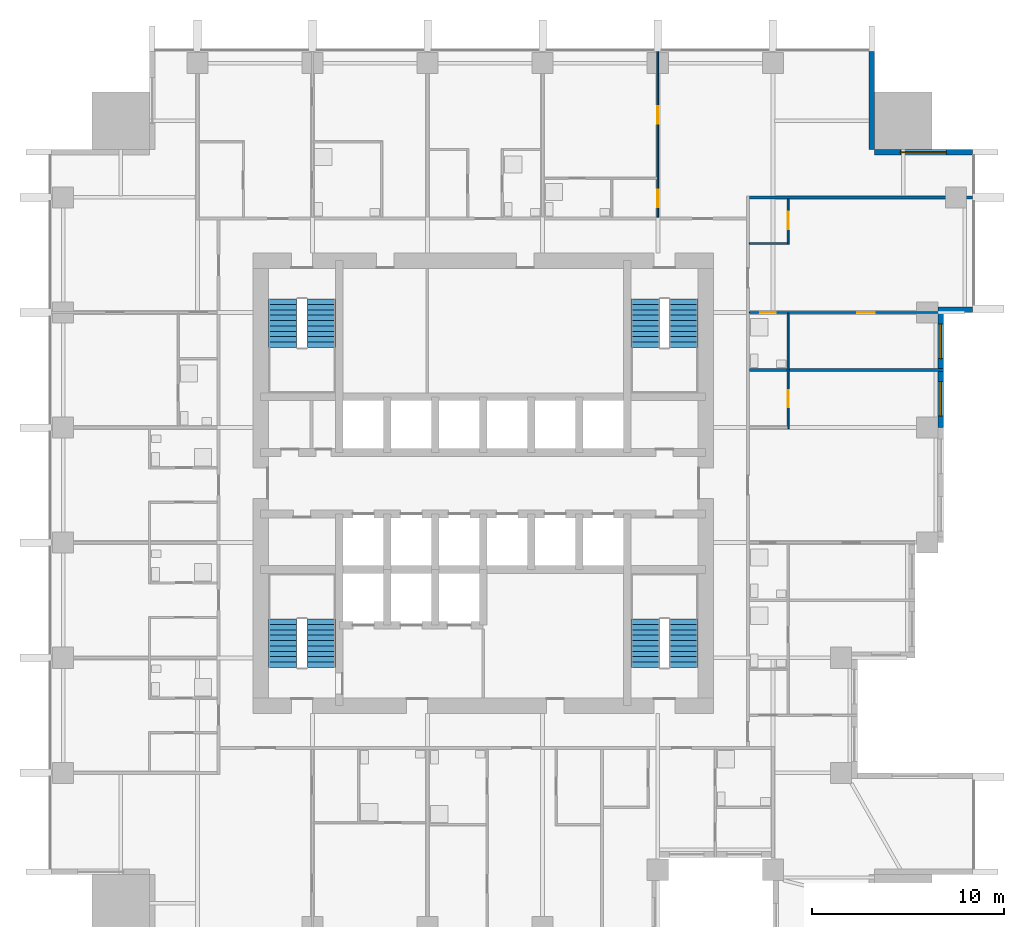
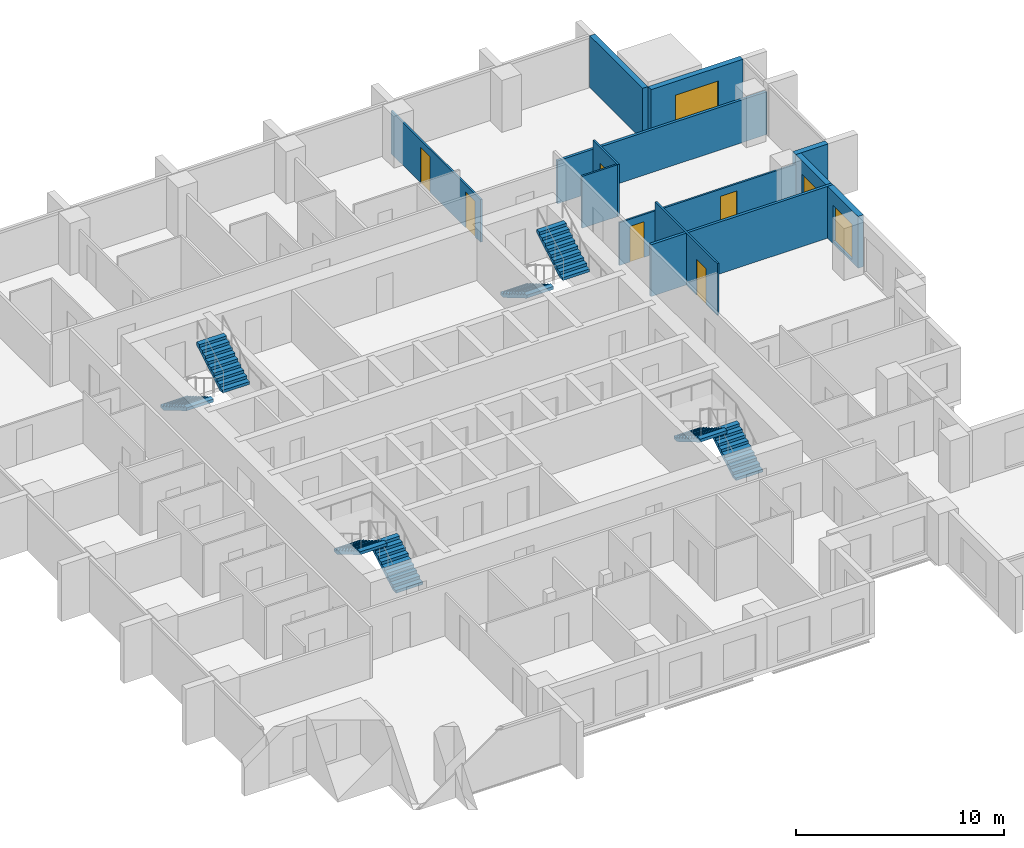
# One storey, part 8 of 10: 11 walls, 8 stair flights, 6 doors, 3 windows, 9 openings, 4 elements without a shape of their own.
"""IFC4 building model written with IfcOpenShell, lengths in metres."""

from ifc_helpers import new_model, si_unit, direction, frame, frame_2d, origin, place, context, subcontext, project, spatial, polyline, rectangle, outline, extrude, material, layer, layer_set, type_object, element, fill, aggregate, save


model = new_model("IFC4")

# Units and contexts
model_context = context("Model", 3, precision=1e-05, world=origin(), true_north=direction((0.0, 1.0)))
body_context = subcontext(model_context, "Body", "Model", "MODEL_VIEW")
ifc_project = project(units=[si_unit("LENGTHUNIT", "METRE"), si_unit("AREAUNIT", "SQUARE_METRE"), si_unit("VOLUMEUNIT", "CUBIC_METRE"), si_unit("PLANEANGLEUNIT", "RADIAN"), si_unit("MASSUNIT", "GRAM", prefix="KILO")], contexts=[model_context])

# Site, building, storey
site_placement = place(None, origin())
site = spatial("IfcSite", under=ifc_project, at=site_placement, CompositionType="ELEMENT")
building_placement = place(site_placement, origin())
building = spatial("IfcBuilding", under=site, at=building_placement, Name="Amberfall Residences", CompositionType="ELEMENT")
storey_placement = place(building_placement, frame((0.0, 0.0, 101.800048828125)))
storey = spatial("IfcBuildingStorey", under=building, at=storey_placement, Name="L27", CompositionType="ELEMENT", Elevation=101.800048828125)

# Wall
ifc_material_1 = material(Name="Pale stone cladding on insulated backing", Category="masonry")
ifc_layer_1 = layer(ifc_material_1, 0.300048828125)
ifc_layer_set_1 = layer_set([ifc_layer_1], Name="Bronze clad wall 300")
wall_type_1 = type_object("IfcWallType", Name="Bronze clad wall 300", PredefinedType="SOLIDWALL", material=ifc_layer_set_1)
wall_1_placement = place(storey_placement, frame((98.199951171875, 54.550048828125, 0.0), z_axis=(0.0, 0.0, 1.0), x_axis=(1.0, 0.0, 0.0)))
element("IfcWall", 1, at=wall_1_placement, inside=storey, type_object=wall_type_1, Name="External wall L27 E", PredefinedType="SOLIDWALL", context=body_context, shape_type="SweptSolid", body=[
    extrude(rectangle(XDim=1.800048828125, YDim=0.300048828125, at=frame_2d((0.89990234375, 0.0))), origin(), (0.0, 0.0, 1.0), 3.050048828125),
])

# Wall, opening, window
wall_2_placement = place(storey_placement, frame((100.0, 62.75, 0.0), z_axis=(0.0, 0.0, 1.0), x_axis=(-1.0, 0.0, 0.0)))
wall_2 = element("IfcWall", 2, at=wall_2_placement, inside=storey, type_object=wall_type_1, Name="External wall L27 NE", PredefinedType="SOLIDWALL", context=body_context, shape_type="SweptSolid", body=[
    extrude(rectangle(XDim=5.10009765625, YDim=0.300048828125, at=frame_2d((2.550048828125, 0.0))), origin(), (0.0, 0.0, 1.0), 3.050048828125),
])
opening_1_placement = place(wall_2_placement, frame((1.35009765625, 0.0, 0.14990234375)))
opening_1 = element("IfcOpeningElement", 3, at=opening_1_placement, cuts=wall_2, Name="Opening WN5", PredefinedType="OPENING", context=body_context, shape_type="SweptSolid", body=[
    extrude(rectangle(XDim=2.39990234375, YDim=2.10009765625, at=frame_2d((1.199951171875, 1.050048828125))), frame((0.0, 0.159912109375, 0.0), z_axis=(0.0, -1.0, 0.0), x_axis=(1.0, 0.0, 0.0)), (0.0, 0.0, 1.0), 0.320068359375),
])
ifc_material_2 = material(Name="Bronze aluminium framed glazing", Category="aluminium")
window_type_1 = type_object("IfcWindowType", Name="Glazed opening 2400 x 2100 bronze", PartitioningType="DOUBLE_PANEL_VERTICAL", PredefinedType="WINDOW", material=ifc_material_2)
window_1_placement = place(opening_1_placement, origin())
window_1 = element("IfcWindow", 4, at=window_1_placement, inside=storey, type_object=window_type_1, Name="Window L27 NE", OverallHeight=2.10009765625, OverallWidth=2.39990234375, PartitioningType="DOUBLE_PANEL_VERTICAL", PredefinedType="WINDOW", context=body_context, shape_type="SweptSolid", body=[
    extrude(rectangle(XDim=2.39990234375, YDim=2.10009765625, at=frame_2d((1.199951171875, 1.050048828125))), frame((0.0, 0.030029296875, 0.0), z_axis=(0.0, -1.0, 0.0), x_axis=(1.0, 0.0, 0.0)), (0.0, 0.0, 1.0), 0.06005859375),
])
fill(opening_1, window_1)

# Wall
wall_3_placement = place(storey_placement, frame((94.75, 62.89990234375, 0.0), z_axis=(0.0, 0.0, 1.0), x_axis=(0.0, 1.0, 0.0)))
element("IfcWall", 5, at=wall_3_placement, inside=storey, type_object=wall_type_1, Name="External wall L27 NE", PredefinedType="SOLIDWALL", context=body_context, shape_type="SweptSolid", body=[
    extrude(rectangle(XDim=5.10009765625, YDim=0.300048828125, at=frame_2d((2.550048828125, 0.0))), origin(), (0.0, 0.0, 1.0), 3.050048828125),
])

# Wall, openings, windows
wall_4_placement = place(storey_placement, frame((98.35009765625, 48.39990234375, 0.0), z_axis=(0.0, 0.0, 1.0), x_axis=(0.0, 1.0, 0.0)))
wall_4 = element("IfcWall", 6, at=wall_4_placement, inside=storey, type_object=wall_type_1, Name="Stone wall L27 E", PredefinedType="SOLIDWALL", context=body_context, shape_type="SweptSolid", body=[
    extrude(rectangle(XDim=6.0, YDim=0.300048828125, at=frame_2d((3.0, 0.0))), origin(), (0.0, 0.0, 1.0), 3.050048828125),
])
opening_2_placement = place(wall_4_placement, frame((0.60009765625, 0.0, 0.14990234375)))
opening_2 = element("IfcOpeningElement", 7, at=opening_2_placement, cuts=wall_4, Name="Opening WN6", PredefinedType="OPENING", context=body_context, shape_type="SweptSolid", body=[
    extrude(rectangle(XDim=1.800048828125, YDim=2.10009765625, at=frame_2d((0.89990234375, 1.050048828125))), frame((0.0, 0.159912109375, 0.0), z_axis=(0.0, -1.0, 0.0), x_axis=(1.0, 0.0, 0.0)), (0.0, 0.0, 1.0), 0.320068359375),
])
opening_3_placement = place(wall_4_placement, frame((3.60009765625, 0.0, 0.14990234375)))
opening_3 = element("IfcOpeningElement", 8, at=opening_3_placement, cuts=wall_4, Name="Opening WN6", PredefinedType="OPENING", context=body_context, shape_type="SweptSolid", body=[
    extrude(rectangle(XDim=1.800048828125, YDim=2.10009765625, at=frame_2d((0.89990234375, 1.050048828125))), frame((0.0, 0.159912109375, 0.0), z_axis=(0.0, -1.0, 0.0), x_axis=(1.0, 0.0, 0.0)), (0.0, 0.0, 1.0), 0.320068359375),
])
window_type_2 = type_object("IfcWindowType", Name="Glazed opening 1800 x 2100 bronze", PartitioningType="DOUBLE_PANEL_VERTICAL", PredefinedType="WINDOW", material=ifc_material_2)
window_2_placement = place(opening_2_placement, origin())
window_2 = element("IfcWindow", 9, at=window_2_placement, inside=storey, type_object=window_type_2, Name="Window L27 E", OverallHeight=2.10009765625, OverallWidth=1.800048828125, PartitioningType="DOUBLE_PANEL_VERTICAL", PredefinedType="WINDOW", context=body_context, shape_type="SweptSolid", body=[
    extrude(rectangle(XDim=1.800048828125, YDim=2.10009765625, at=frame_2d((0.89990234375, 1.050048828125))), frame((0.0, 0.030029296875, 0.0), z_axis=(0.0, -1.0, 0.0), x_axis=(1.0, 0.0, 0.0)), (0.0, 0.0, 1.0), 0.06005859375),
])
fill(opening_2, window_2)
window_3_placement = place(opening_3_placement, origin())
window_3 = element("IfcWindow", 10, at=window_3_placement, inside=storey, type_object=window_type_2, Name="Window L27 E", OverallHeight=2.10009765625, OverallWidth=1.800048828125, PartitioningType="DOUBLE_PANEL_VERTICAL", PredefinedType="WINDOW", context=body_context, shape_type="SweptSolid", body=[
    extrude(rectangle(XDim=1.800048828125, YDim=2.10009765625, at=frame_2d((0.89990234375, 1.050048828125))), frame((0.0, 0.030029296875, 0.0), z_axis=(0.0, -1.0, 0.0), x_axis=(1.0, 0.0, 0.0)), (0.0, 0.0, 1.0), 0.06005859375),
])
fill(opening_3, window_3)

# Wall, openings, doors
ifc_material_3 = material(Name="Gypsum board on metal stud")
ifc_layer_2 = layer(ifc_material_3, 0.10009765625)
ifc_layer_set_2 = layer_set([ifc_layer_2], Name="Flat partition 100")
wall_type_2 = type_object("IfcWallType", Name="Flat partition 100", PredefinedType="PARTITIONING", material=ifc_layer_set_2)
wall_5_placement = place(storey_placement, frame((83.60009765625, 59.375, 0.0), z_axis=(0.0, 0.0, 1.0), x_axis=(0.0, 1.0, 0.0)))
wall_5 = element("IfcWall", 11, at=wall_5_placement, inside=storey, type_object=wall_type_2, Name="Partition 017", PredefinedType="PARTITIONING", context=body_context, shape_type="SweptSolid", body=[
    extrude(rectangle(XDim=8.625, YDim=0.10009765625, at=frame_2d((4.3125, 0.0))), origin(), (0.0, 0.0, 1.0), 2.515869140625),
])
opening_4_placement = place(wall_5_placement, frame((0.52490234375, 0.0, 0.0)))
opening_4 = element("IfcOpeningElement", 12, at=opening_4_placement, cuts=wall_5, Name="Opening D41", PredefinedType="OPENING", context=body_context, shape_type="SweptSolid", body=[
    extrude(rectangle(XDim=0.89990234375, YDim=2.10009765625, at=frame_2d((0.449951171875, 1.050048828125))), frame((0.0, 0.06005859375, 0.0), z_axis=(0.0, -1.0, 0.0), x_axis=(1.0, 0.0, 0.0)), (0.0, 0.0, 1.0), 0.1201171875),
])
opening_5_placement = place(wall_5_placement, frame((4.875, 0.0, 0.0)))
opening_5 = element("IfcOpeningElement", 13, at=opening_5_placement, cuts=wall_5, Name="Opening D41", PredefinedType="OPENING", context=body_context, shape_type="SweptSolid", body=[
    extrude(rectangle(XDim=0.89990234375, YDim=2.10009765625, at=frame_2d((0.449951171875, 1.050048828125))), frame((0.0, 0.06005859375, 0.0), z_axis=(0.0, -1.0, 0.0), x_axis=(1.0, 0.0, 0.0)), (0.0, 0.0, 1.0), 0.1201171875),
])
ifc_material_4 = material(Name="Timber", Category="wood")
door_type_1 = type_object("IfcDoorType", Name="Internal door 900 x 2100", OperationType="SINGLE_SWING_LEFT", PredefinedType="DOOR", material=ifc_material_4)
door_1_placement = place(opening_4_placement, origin())
door_1 = element("IfcDoor", 14, at=door_1_placement, inside=storey, type_object=door_type_1, Name="Door 2709 kitchen", OperationType="SINGLE_SWING_LEFT", OverallHeight=2.10009765625, OverallWidth=0.89990234375, PredefinedType="DOOR", context=body_context, shape_type="SweptSolid", body=[
    extrude(rectangle(XDim=0.89990234375, YDim=2.10009765625, at=frame_2d((0.449951171875, 1.050048828125))), frame((0.0, 0.02490234375, 0.0), z_axis=(0.0, -1.0, 0.0), x_axis=(1.0, 0.0, 0.0)), (0.0, 0.0, 1.0), 0.050048828125),
])
fill(opening_4, door_1)
door_2_placement = place(opening_5_placement, origin())
door_2 = element("IfcDoor", 15, at=door_2_placement, inside=storey, type_object=door_type_1, Name="Door 2709 bedroom1", OperationType="SINGLE_SWING_LEFT", OverallHeight=2.10009765625, OverallWidth=0.89990234375, PredefinedType="DOOR", context=body_context, shape_type="SweptSolid", body=[
    extrude(rectangle(XDim=0.89990234375, YDim=2.10009765625, at=frame_2d((0.449951171875, 1.050048828125))), frame((0.0, 0.02490234375, 0.0), z_axis=(0.0, -1.0, 0.0), x_axis=(1.0, 0.0, 0.0)), (0.0, 0.0, 1.0), 0.050048828125),
])
fill(opening_5, door_2)

# Wall, opening, door
wall_6_placement = place(storey_placement, frame((90.39990234375, 48.35009765625, 0.0), z_axis=(0.0, 0.0, 1.0), x_axis=(0.0, 1.0, 0.0)))
wall_6 = element("IfcWall", 16, at=wall_6_placement, inside=storey, type_object=wall_type_2, Name="Partition 020", PredefinedType="PARTITIONING", context=body_context, shape_type="SweptSolid", body=[
    extrude(rectangle(XDim=6.0, YDim=0.10009765625, at=frame_2d((3.0, 0.0))), origin(), (0.0, 0.0, 1.0), 3.050048828125),
])
opening_6_placement = place(wall_6_placement, frame((1.10009765625, 0.0, 0.0)))
opening_6 = element("IfcOpeningElement", 17, at=opening_6_placement, cuts=wall_6, Name="Opening D41", PredefinedType="OPENING", context=body_context, shape_type="SweptSolid", body=[
    extrude(rectangle(XDim=0.89990234375, YDim=2.10009765625, at=frame_2d((0.449951171875, 1.050048828125))), frame((0.0, 0.06005859375, 0.0), z_axis=(0.0, -1.0, 0.0), x_axis=(1.0, 0.0, 0.0)), (0.0, 0.0, 1.0), 0.1201171875),
])
door_3_placement = place(opening_6_placement, origin())
door_3 = element("IfcDoor", 18, at=door_3_placement, inside=storey, type_object=door_type_1, Name="Door 2705 kitchen", OperationType="SINGLE_SWING_LEFT", OverallHeight=2.10009765625, OverallWidth=0.89990234375, PredefinedType="DOOR", context=body_context, shape_type="SweptSolid", body=[
    extrude(rectangle(XDim=0.89990234375, YDim=2.10009765625, at=frame_2d((0.449951171875, 1.050048828125))), frame((0.0, 0.02490234375, 0.0), z_axis=(0.0, -1.0, 0.0), x_axis=(1.0, 0.0, 0.0)), (0.0, 0.0, 1.0), 0.050048828125),
])
fill(opening_6, door_3)

wall_7_placement = place(storey_placement, frame((90.39990234375, 57.949951171875, 0.0), z_axis=(0.0, 0.0, 1.0), x_axis=(0.0, 1.0, 0.0)))
wall_7 = element("IfcWall", 19, at=wall_7_placement, inside=storey, type_object=wall_type_2, Name="Partition 021", PredefinedType="PARTITIONING", context=body_context, shape_type="SweptSolid", body=[
    extrude(rectangle(XDim=2.375, YDim=0.10009765625, at=frame_2d((1.1875, 0.0))), origin(), (0.0, 0.0, 1.0), 3.050048828125),
])
opening_7_placement = place(wall_7_placement, frame((0.800048828125, 0.0, 0.0)))
opening_7 = element("IfcOpeningElement", 20, at=opening_7_placement, cuts=wall_7, Name="Opening D41", PredefinedType="OPENING", context=body_context, shape_type="SweptSolid", body=[
    extrude(rectangle(XDim=0.89990234375, YDim=2.10009765625, at=frame_2d((0.449951171875, 1.050048828125))), frame((0.0, 0.06005859375, 0.0), z_axis=(0.0, -1.0, 0.0), x_axis=(1.0, 0.0, 0.0)), (0.0, 0.0, 1.0), 0.1201171875),
])
door_4_placement = place(opening_7_placement, origin())
door_4 = element("IfcDoor", 21, at=door_4_placement, inside=storey, type_object=door_type_1, Name="Door 2706 kitchen", OperationType="SINGLE_SWING_LEFT", OverallHeight=2.10009765625, OverallWidth=0.89990234375, PredefinedType="DOOR", context=body_context, shape_type="SweptSolid", body=[
    extrude(rectangle(XDim=0.89990234375, YDim=2.10009765625, at=frame_2d((0.449951171875, 1.050048828125))), frame((0.0, 0.02490234375, 0.0), z_axis=(0.0, -1.0, 0.0), x_axis=(1.0, 0.0, 0.0)), (0.0, 0.0, 1.0), 0.050048828125),
])
fill(opening_7, door_4)

# Wall
wall_8_placement = place(storey_placement, frame((88.375, 58.0, 0.0), z_axis=(0.0, 0.0, 1.0), x_axis=(1.0, 0.0, 0.0)))
element("IfcWall", 22, at=wall_8_placement, inside=storey, type_object=wall_type_2, Name="Partition 027", PredefinedType="PARTITIONING", context=body_context, shape_type="SweptSolid", body=[
    extrude(rectangle(XDim=1.97509765625, YDim=0.10009765625, at=frame_2d((0.987548828125, 0.0))), origin(), (0.0, 0.0, 1.0), 3.050048828125),
])

# Wall, openings, doors
wall_9_placement = place(storey_placement, frame((98.5, 54.39990234375, 0.0), z_axis=(0.0, 0.0, 1.0), x_axis=(-1.0, 0.0, 0.0)))
wall_9 = element("IfcWall", 23, at=wall_9_placement, inside=storey, type_object=wall_type_2, Name="Partition 029", PredefinedType="PARTITIONING", context=body_context, shape_type="SweptSolid", body=[
    extrude(rectangle(XDim=10.125, YDim=0.10009765625, at=frame_2d((5.0625, 0.0))), origin(), (0.0, 0.0, 1.0), 2.515869140625),
])
opening_8_placement = place(wall_9_placement, frame((3.60009765625, 0.0, 0.0)))
opening_8 = element("IfcOpeningElement", 24, at=opening_8_placement, cuts=wall_9, Name="Opening D41", PredefinedType="OPENING", context=body_context, shape_type="SweptSolid", body=[
    extrude(rectangle(XDim=0.89990234375, YDim=2.10009765625, at=frame_2d((0.449951171875, 1.050048828125))), frame((0.0, 0.06005859375, 0.0), z_axis=(0.0, -1.0, 0.0), x_axis=(1.0, 0.0, 0.0)), (0.0, 0.0, 1.0), 0.1201171875),
])
opening_9_placement = place(wall_9_placement, frame((8.75, 0.0, 0.0)))
opening_9 = element("IfcOpeningElement", 25, at=opening_9_placement, cuts=wall_9, Name="Opening D42", PredefinedType="OPENING", context=body_context, shape_type="SweptSolid", body=[
    extrude(rectangle(XDim=0.800048828125, YDim=2.10009765625, at=frame_2d((0.39990234375, 1.050048828125))), frame((0.0, 0.06005859375, 0.0), z_axis=(0.0, -1.0, 0.0), x_axis=(1.0, 0.0, 0.0)), (0.0, 0.0, 1.0), 0.1201171875),
])
door_type_2 = type_object("IfcDoorType", Name="Bathroom door 800 x 2100", OperationType="SINGLE_SWING_LEFT", PredefinedType="DOOR", material=ifc_material_4)
door_5_placement = place(opening_9_placement, origin())
door_5 = element("IfcDoor", 26, at=door_5_placement, inside=storey, type_object=door_type_2, Name="Door 2706 bath1", OperationType="SINGLE_SWING_LEFT", OverallHeight=2.10009765625, OverallWidth=0.800048828125, PredefinedType="DOOR", context=body_context, shape_type="SweptSolid", body=[
    extrude(rectangle(XDim=0.800048828125, YDim=2.10009765625, at=frame_2d((0.39990234375, 1.050048828125))), frame((0.0, 0.02490234375, 0.0), z_axis=(0.0, -1.0, 0.0), x_axis=(1.0, 0.0, 0.0)), (0.0, 0.0, 1.0), 0.050048828125),
])
fill(opening_9, door_5)
door_6_placement = place(opening_8_placement, origin())
door_6 = element("IfcDoor", 27, at=door_6_placement, inside=storey, type_object=door_type_1, Name="Door 2706 bedroom1", OperationType="SINGLE_SWING_LEFT", OverallHeight=2.10009765625, OverallWidth=0.89990234375, PredefinedType="DOOR", context=body_context, shape_type="SweptSolid", body=[
    extrude(rectangle(XDim=0.89990234375, YDim=2.10009765625, at=frame_2d((0.449951171875, 1.050048828125))), frame((0.0, 0.02490234375, 0.0), z_axis=(0.0, -1.0, 0.0), x_axis=(1.0, 0.0, 0.0)), (0.0, 0.0, 1.0), 0.050048828125),
])
fill(opening_8, door_6)

# Walls
ifc_material_5 = material(Name="Blockwork, plastered", Category="masonry")
ifc_layer_3 = layer(ifc_material_5, 0.14990234375)
ifc_layer_set_3 = layer_set([ifc_layer_3], Name="Flat separating wall 150")
wall_type_3 = type_object("IfcWallType", Name="Flat separating wall 150", PredefinedType="PARTITIONING", material=ifc_layer_set_3)
wall_10_placement = place(storey_placement, frame((88.375, 60.39990234375, 0.0), z_axis=(0.0, 0.0, 1.0), x_axis=(1.0, 0.0, 0.0)))
element("IfcWall", 28, at=wall_10_placement, inside=storey, type_object=wall_type_3, Name="Separating wall 054", PredefinedType="PARTITIONING", context=body_context, shape_type="SweptSolid", body=[
    extrude(rectangle(XDim=11.625, YDim=0.14990234375, at=frame_2d((5.8125, 0.0))), origin(), (0.0, 0.0, 1.0), 2.515869140625),
])
wall_11_placement = place(storey_placement, frame((88.375, 51.39990234375, 0.0), z_axis=(0.0, 0.0, 1.0), x_axis=(1.0, 0.0, 0.0)))
element("IfcWall", 29, at=wall_11_placement, inside=storey, type_object=wall_type_3, Name="Separating wall 056", PredefinedType="PARTITIONING", context=body_context, shape_type="SweptSolid", body=[
    extrude(rectangle(XDim=10.125, YDim=0.14990234375, at=frame_2d((5.0625, 0.0))), origin(), (0.0, 0.0, 1.0), 3.050048828125),
])

# Stair, stair flights
ifc_material_6 = material(Name="Concrete C40", Category="concrete")
stair_type = type_object("IfcStairType", Name="Exit stair 20 risers 165.0 mm", PredefinedType="HALF_TURN_STAIR", material=ifc_material_6)
stair_1_placement = place(storey_placement, origin())
stair_1 = element("IfcStair", 30, at=stair_1_placement, inside=storey, type_object=stair_type, Name="L27 Exit stair 1", PredefinedType="HALF_TURN_STAIR")
stair_flight_type = type_object("IfcStairFlightType", Name="Stair flight 10 risers 165.0 mm", PredefinedType="STRAIGHT", material=ifc_material_6)
stair_flight_1_placement = place(storey_placement, frame((66.050048828125, 35.89990234375, 0.0), z_axis=(0.0, 0.0, 1.0), x_axis=(0.0, 1.0, 0.0)))
stair_flight_1 = element("IfcStairFlight", 31, at=stair_flight_1_placement, type_object=stair_flight_type, Name="ST3 flight 1", NumberOfRisers=10, NumberOfTreads=9, PredefinedType="STRAIGHT", RiserHeight=0.165, TreadLength=0.28, context=body_context, shape_type="SweptSolid", body=[
    extrude(outline(polyline([(0.0, 0.0), (0.0, 0.1650390625), (0.280029296875, 0.1650390625), (0.280029296875, 0.330078125), (0.56005859375, 0.330078125), (0.56005859375, 0.4951171875), (0.840087890625, 0.4951171875), (0.840087890625, 0.659912109375), (1.1201171875, 0.659912109375), (1.1201171875, 0.824951171875), (1.39990234375, 0.824951171875), (1.39990234375, 0.989990234375), (1.679931640625, 0.989990234375), (1.679931640625, 1.155029296875), (1.9599609375, 1.155029296875), (1.9599609375, 1.320068359375), (2.239990234375, 1.320068359375), (2.239990234375, 1.485107421875), (2.52001953125, 1.485107421875), (2.52001953125, 1.64990234375), (2.52001953125, 1.31103515625), (0.295166015625, 0.0), (0.0, 0.0)])), frame((0.0, 0.75, 0.0), z_axis=(0.0, -1.0, 0.0), x_axis=(1.0, 0.0, 0.0)), (0.0, 0.0, 1.0), 1.5),
])
stair_flight_2_placement = place(storey_placement, frame((64.050048828125, 38.419921875, 1.64990234375), z_axis=(0.0, 0.0, 1.0), x_axis=(0.0, -1.0, 0.0)))
stair_flight_2 = element("IfcStairFlight", 32, at=stair_flight_2_placement, type_object=stair_flight_type, Name="ST3 flight 2", NumberOfRisers=10, NumberOfTreads=9, PredefinedType="STRAIGHT", RiserHeight=0.165, TreadLength=0.28, context=body_context, shape_type="SweptSolid", body=[
    extrude(outline(polyline([(0.0, 0.0), (0.0, 0.1650390625), (0.280029296875, 0.1650390625), (0.280029296875, 0.330078125), (0.56005859375, 0.330078125), (0.56005859375, 0.4951171875), (0.840087890625, 0.4951171875), (0.840087890625, 0.659912109375), (1.1201171875, 0.659912109375), (1.1201171875, 0.824951171875), (1.39990234375, 0.824951171875), (1.39990234375, 0.989990234375), (1.679931640625, 0.989990234375), (1.679931640625, 1.155029296875), (1.9599609375, 1.155029296875), (1.9599609375, 1.320068359375), (2.239990234375, 1.320068359375), (2.239990234375, 1.485107421875), (2.52001953125, 1.485107421875), (2.52001953125, 1.64990234375), (2.52001953125, 1.31103515625), (0.295166015625, 0.0), (0.0, 0.0)])), frame((0.0, 0.75, 0.0), z_axis=(0.0, -1.0, 0.0), x_axis=(1.0, 0.0, 0.0)), (0.0, 0.0, 1.0), 1.5),
])
aggregate(stair_1, [stair_flight_1, stair_flight_2])

stair_2_placement = place(storey_placement, origin())
stair_2 = element("IfcStair", 33, at=stair_2_placement, inside=storey, type_object=stair_type, Name="L27 Exit stair 2", PredefinedType="HALF_TURN_STAIR")
stair_flight_3_placement = place(storey_placement, frame((84.949951171875, 35.89990234375, 0.0), z_axis=(0.0, 0.0, 1.0), x_axis=(0.0, 1.0, 0.0)))
stair_flight_3 = element("IfcStairFlight", 34, at=stair_flight_3_placement, type_object=stair_flight_type, Name="ST3 flight 1", NumberOfRisers=10, NumberOfTreads=9, PredefinedType="STRAIGHT", RiserHeight=0.165, TreadLength=0.28, context=body_context, shape_type="SweptSolid", body=[
    extrude(outline(polyline([(0.0, 0.0), (0.0, 0.1650390625), (0.280029296875, 0.1650390625), (0.280029296875, 0.330078125), (0.56005859375, 0.330078125), (0.56005859375, 0.4951171875), (0.840087890625, 0.4951171875), (0.840087890625, 0.659912109375), (1.1201171875, 0.659912109375), (1.1201171875, 0.824951171875), (1.39990234375, 0.824951171875), (1.39990234375, 0.989990234375), (1.679931640625, 0.989990234375), (1.679931640625, 1.155029296875), (1.9599609375, 1.155029296875), (1.9599609375, 1.320068359375), (2.239990234375, 1.320068359375), (2.239990234375, 1.485107421875), (2.52001953125, 1.485107421875), (2.52001953125, 1.64990234375), (2.52001953125, 1.31103515625), (0.295166015625, 0.0), (0.0, 0.0)])), frame((0.0, 0.75, 0.0), z_axis=(0.0, -1.0, 0.0), x_axis=(1.0, 0.0, 0.0)), (0.0, 0.0, 1.0), 1.5),
])
stair_flight_4_placement = place(storey_placement, frame((82.949951171875, 38.419921875, 1.64990234375), z_axis=(0.0, 0.0, 1.0), x_axis=(0.0, -1.0, 0.0)))
stair_flight_4 = element("IfcStairFlight", 35, at=stair_flight_4_placement, type_object=stair_flight_type, Name="ST3 flight 2", NumberOfRisers=10, NumberOfTreads=9, PredefinedType="STRAIGHT", RiserHeight=0.165, TreadLength=0.28, context=body_context, shape_type="SweptSolid", body=[
    extrude(outline(polyline([(0.0, 0.0), (0.0, 0.1650390625), (0.280029296875, 0.1650390625), (0.280029296875, 0.330078125), (0.56005859375, 0.330078125), (0.56005859375, 0.4951171875), (0.840087890625, 0.4951171875), (0.840087890625, 0.659912109375), (1.1201171875, 0.659912109375), (1.1201171875, 0.824951171875), (1.39990234375, 0.824951171875), (1.39990234375, 0.989990234375), (1.679931640625, 0.989990234375), (1.679931640625, 1.155029296875), (1.9599609375, 1.155029296875), (1.9599609375, 1.320068359375), (2.239990234375, 1.320068359375), (2.239990234375, 1.485107421875), (2.52001953125, 1.485107421875), (2.52001953125, 1.64990234375), (2.52001953125, 1.31103515625), (0.295166015625, 0.0), (0.0, 0.0)])), frame((0.0, 0.75, 0.0), z_axis=(0.0, -1.0, 0.0), x_axis=(1.0, 0.0, 0.0)), (0.0, 0.0, 1.0), 1.5),
])
aggregate(stair_2, [stair_flight_3, stair_flight_4])

stair_3_placement = place(storey_placement, origin())
stair_3 = element("IfcStair", 36, at=stair_3_placement, inside=storey, type_object=stair_type, Name="L27 Exit stair 3", PredefinedType="HALF_TURN_STAIR")
stair_flight_5_placement = place(storey_placement, frame((82.949951171875, 55.10009765625, 0.0), z_axis=(0.0, 0.0, 1.0), x_axis=(0.0, -1.0, 0.0)))
stair_flight_5 = element("IfcStairFlight", 37, at=stair_flight_5_placement, type_object=stair_flight_type, Name="ST3 flight 1", NumberOfRisers=10, NumberOfTreads=9, PredefinedType="STRAIGHT", RiserHeight=0.165, TreadLength=0.28, context=body_context, shape_type="SweptSolid", body=[
    extrude(outline(polyline([(0.0, 0.0), (0.0, 0.1650390625), (0.280029296875, 0.1650390625), (0.280029296875, 0.330078125), (0.56005859375, 0.330078125), (0.56005859375, 0.4951171875), (0.840087890625, 0.4951171875), (0.840087890625, 0.659912109375), (1.1201171875, 0.659912109375), (1.1201171875, 0.824951171875), (1.39990234375, 0.824951171875), (1.39990234375, 0.989990234375), (1.679931640625, 0.989990234375), (1.679931640625, 1.155029296875), (1.9599609375, 1.155029296875), (1.9599609375, 1.320068359375), (2.239990234375, 1.320068359375), (2.239990234375, 1.485107421875), (2.52001953125, 1.485107421875), (2.52001953125, 1.64990234375), (2.52001953125, 1.31103515625), (0.295166015625, 0.0), (0.0, 0.0)])), frame((0.0, 0.75, 0.0), z_axis=(0.0, -1.0, 0.0), x_axis=(1.0, 0.0, 0.0)), (0.0, 0.0, 1.0), 1.5),
])
stair_flight_6_placement = place(storey_placement, frame((84.949951171875, 52.580078125, 1.64990234375), z_axis=(0.0, 0.0, 1.0), x_axis=(0.0, 1.0, 0.0)))
stair_flight_6 = element("IfcStairFlight", 38, at=stair_flight_6_placement, type_object=stair_flight_type, Name="ST3 flight 2", NumberOfRisers=10, NumberOfTreads=9, PredefinedType="STRAIGHT", RiserHeight=0.165, TreadLength=0.28, context=body_context, shape_type="SweptSolid", body=[
    extrude(outline(polyline([(0.0, 0.0), (0.0, 0.1650390625), (0.280029296875, 0.1650390625), (0.280029296875, 0.330078125), (0.56005859375, 0.330078125), (0.56005859375, 0.4951171875), (0.840087890625, 0.4951171875), (0.840087890625, 0.659912109375), (1.1201171875, 0.659912109375), (1.1201171875, 0.824951171875), (1.39990234375, 0.824951171875), (1.39990234375, 0.989990234375), (1.679931640625, 0.989990234375), (1.679931640625, 1.155029296875), (1.9599609375, 1.155029296875), (1.9599609375, 1.320068359375), (2.239990234375, 1.320068359375), (2.239990234375, 1.485107421875), (2.52001953125, 1.485107421875), (2.52001953125, 1.64990234375), (2.52001953125, 1.31103515625), (0.295166015625, 0.0), (0.0, 0.0)])), frame((0.0, 0.75, 0.0), z_axis=(0.0, -1.0, 0.0), x_axis=(1.0, 0.0, 0.0)), (0.0, 0.0, 1.0), 1.5),
])
aggregate(stair_3, [stair_flight_5, stair_flight_6])

stair_4_placement = place(storey_placement, origin())
stair_4 = element("IfcStair", 39, at=stair_4_placement, inside=storey, type_object=stair_type, Name="L27 Exit stair 4", PredefinedType="HALF_TURN_STAIR")
stair_flight_7_placement = place(storey_placement, frame((64.050048828125, 55.10009765625, 0.0), z_axis=(0.0, 0.0, 1.0), x_axis=(0.0, -1.0, 0.0)))
stair_flight_7 = element("IfcStairFlight", 40, at=stair_flight_7_placement, type_object=stair_flight_type, Name="ST3 flight 1", NumberOfRisers=10, NumberOfTreads=9, PredefinedType="STRAIGHT", RiserHeight=0.165, TreadLength=0.28, context=body_context, shape_type="SweptSolid", body=[
    extrude(outline(polyline([(0.0, 0.0), (0.0, 0.1650390625), (0.280029296875, 0.1650390625), (0.280029296875, 0.330078125), (0.56005859375, 0.330078125), (0.56005859375, 0.4951171875), (0.840087890625, 0.4951171875), (0.840087890625, 0.659912109375), (1.1201171875, 0.659912109375), (1.1201171875, 0.824951171875), (1.39990234375, 0.824951171875), (1.39990234375, 0.989990234375), (1.679931640625, 0.989990234375), (1.679931640625, 1.155029296875), (1.9599609375, 1.155029296875), (1.9599609375, 1.320068359375), (2.239990234375, 1.320068359375), (2.239990234375, 1.485107421875), (2.52001953125, 1.485107421875), (2.52001953125, 1.64990234375), (2.52001953125, 1.31103515625), (0.295166015625, 0.0), (0.0, 0.0)])), frame((0.0, 0.75, 0.0), z_axis=(0.0, -1.0, 0.0), x_axis=(1.0, 0.0, 0.0)), (0.0, 0.0, 1.0), 1.5),
])
stair_flight_8_placement = place(storey_placement, frame((66.050048828125, 52.580078125, 1.64990234375), z_axis=(0.0, 0.0, 1.0), x_axis=(0.0, 1.0, 0.0)))
stair_flight_8 = element("IfcStairFlight", 41, at=stair_flight_8_placement, type_object=stair_flight_type, Name="ST3 flight 2", NumberOfRisers=10, NumberOfTreads=9, PredefinedType="STRAIGHT", RiserHeight=0.165, TreadLength=0.28, context=body_context, shape_type="SweptSolid", body=[
    extrude(outline(polyline([(0.0, 0.0), (0.0, 0.1650390625), (0.280029296875, 0.1650390625), (0.280029296875, 0.330078125), (0.56005859375, 0.330078125), (0.56005859375, 0.4951171875), (0.840087890625, 0.4951171875), (0.840087890625, 0.659912109375), (1.1201171875, 0.659912109375), (1.1201171875, 0.824951171875), (1.39990234375, 0.824951171875), (1.39990234375, 0.989990234375), (1.679931640625, 0.989990234375), (1.679931640625, 1.155029296875), (1.9599609375, 1.155029296875), (1.9599609375, 1.320068359375), (2.239990234375, 1.320068359375), (2.239990234375, 1.485107421875), (2.52001953125, 1.485107421875), (2.52001953125, 1.64990234375), (2.52001953125, 1.31103515625), (0.295166015625, 0.0), (0.0, 0.0)])), frame((0.0, 0.75, 0.0), z_axis=(0.0, -1.0, 0.0), x_axis=(1.0, 0.0, 0.0)), (0.0, 0.0, 1.0), 1.5),
])
aggregate(stair_4, [stair_flight_7, stair_flight_8])

save(model, "model.ifc")
